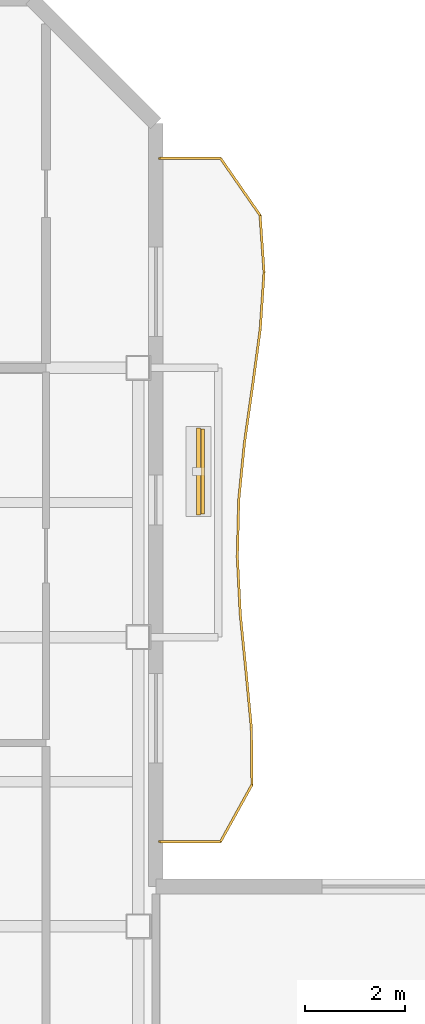
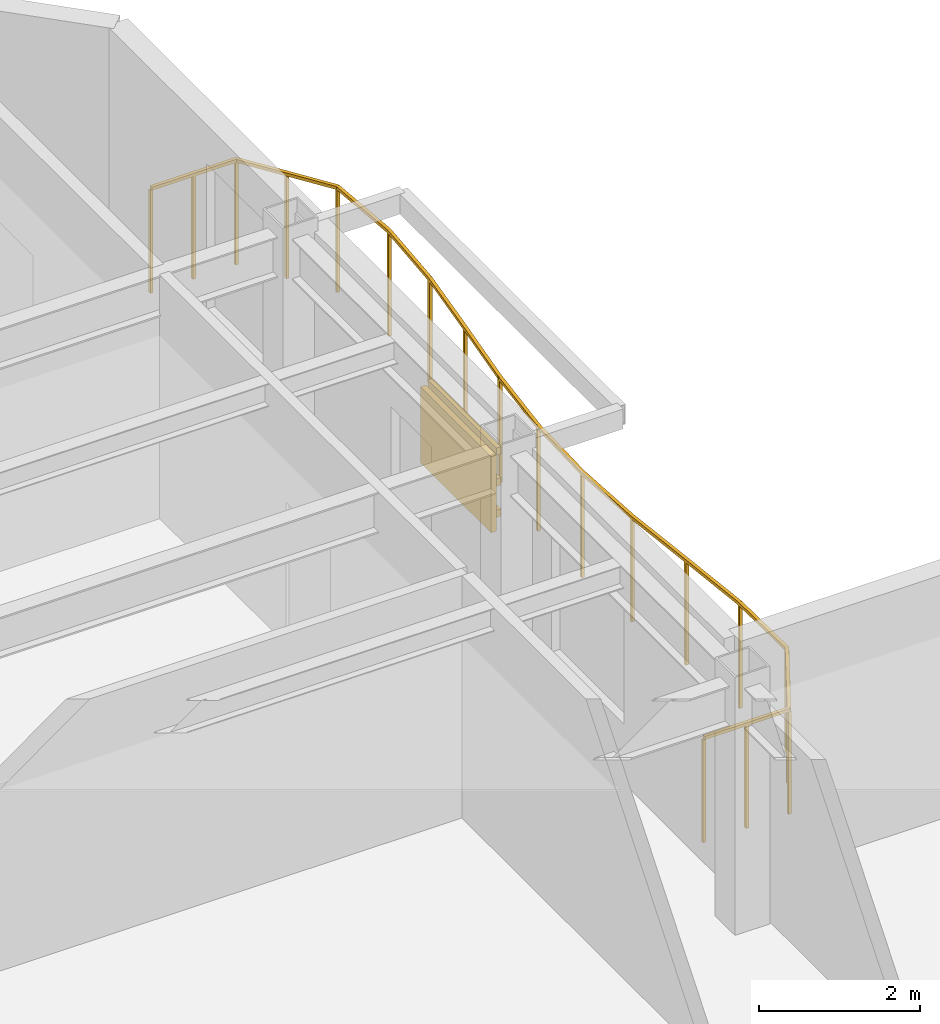
# One storey, part 9 of 9: 4 shading devices, 1 railing.
"""IFC4 building model written with IfcOpenShell, lengths in metres."""

from ifc_helpers import new_model, si_unit, direction, frame, origin, origin_2d, place, context, subcontext, project, spatial, rectangle, extrude, material, layer, layer_set, material_profile, profile_set, type_object, element, save


model = new_model("IFC4")

# Units and contexts
model_context = context("Model", 3, precision=1e-05, world=origin(), true_north=direction((0.0, 1.0)))
body_context = subcontext(model_context, "Body", "Model", "MODEL_VIEW")
ifc_project = project(units=[si_unit("LENGTHUNIT", "METRE"), si_unit("AREAUNIT", "SQUARE_METRE"), si_unit("VOLUMEUNIT", "CUBIC_METRE"), si_unit("PLANEANGLEUNIT", "RADIAN"), si_unit("MASSUNIT", "GRAM", prefix="KILO")], contexts=[model_context])

# Site, building, storey
site_placement = place(None, origin())
site = spatial("IfcSite", under=ifc_project, at=site_placement, CompositionType="ELEMENT")
building_placement = place(site_placement, origin())
building = spatial("IfcBuilding", under=site, at=building_placement, Name="Mawjaban Terraces University", CompositionType="ELEMENT")
storey_placement = place(building_placement, frame((0.0, 0.0, 107.300048828125)))
storey = spatial("IfcBuildingStorey", under=building, at=storey_placement, Name="L25", CompositionType="ELEMENT", Elevation=107.300048828125)

# Railing
ifc_material_1 = material(Name="Galvanised powder-coated steel S355", Category="steel")
railing_type = type_object("IfcRailingType", Name="BalconyBalustrade_1600", PredefinedType="BALUSTRADE", material=ifc_material_1)
railing_placement = place(storey_placement, frame((38.080078125, 31.699951171875, 0.0)))
element("IfcRailing", 1, at=railing_placement, inside=storey, type_object=railing_type, Name="L25 Balcony Guardrail inner_east", PredefinedType="BALUSTRADE", context=body_context, shape_type="SweptSolid", body=[
    extrude(rectangle(XDim=0.048095703125, YDim=0.048095703125, at=origin_2d()), frame((0.0, 0.0, 1.576171875), z_axis=(1.0, 0.0, 0.0), x_axis=(0.0, 1.0, 0.0)), (0.0, 0.0, 1.0), 1.219970703125),
    extrude(rectangle(XDim=0.048095703125, YDim=0.048095703125, at=origin_2d()), frame((1.219970703125, 0.0, 1.576171875), z_axis=(0.482938781998, 0.875654117127, 0.0), x_axis=(-0.875654117127, 0.482938781998, 0.0)), (0.0, 0.0, 1.0), 1.30419921875),
    extrude(rectangle(XDim=0.048095703125, YDim=0.048095703125, at=origin_2d()), frame((1.849853515625, 1.14208984375, 1.576171875), z_axis=(-0.010485192898, 0.999945028854, 0.0), x_axis=(-0.999945028854, -0.010485192898, 0.0)), (0.0, 0.0, 1.0), 1.140869140625),
    extrude(rectangle(XDim=0.048095703125, YDim=0.048095703125, at=origin_2d()), frame((1.837890625, 2.282958984375, 1.576171875), z_axis=(-0.094909515374, 0.995485903412, 0.0), x_axis=(-0.995485903412, -0.094909515374, 0.0)), (0.0, 0.0, 1.0), 1.147216796875),
    extrude(rectangle(XDim=0.048095703125, YDim=0.048095703125, at=origin_2d()), frame((1.72900390625, 3.425048828125, 1.576171875), z_axis=(-0.099335234994, 0.995054024206, 0.0), x_axis=(-0.995054024206, -0.099335234994, 0.0)), (0.0, 0.0, 1.0), 1.147705078125),
    extrude(rectangle(XDim=0.048095703125, YDim=0.048095703125, at=origin_2d()), frame((1.614990234375, 4.567138671875, 1.576171875), z_axis=(-0.050864951562, 0.998705540539, 0.0), x_axis=(-0.998705540539, -0.050864951562, 0.0)), (0.0, 0.0, 1.0), 1.142333984375),
    extrude(rectangle(XDim=0.048095703125, YDim=0.048095703125, at=origin_2d()), frame((1.556884765625, 5.7080078125, 1.576171875), z_axis=(0.024575730372, 0.999697971128, 0.0), x_axis=(-0.999697971128, 0.024575730372, 0.0)), (0.0, 0.0, 1.0), 1.142333984375),
    extrude(rectangle(XDim=0.048095703125, YDim=0.048095703125, at=origin_2d()), frame((1.5849609375, 6.85009765625, 1.576171875), z_axis=(0.099356264444, 0.995051924633, 0.0), x_axis=(-0.995051924633, 0.099356264444, 0.0)), (0.0, 0.0, 1.0), 1.1474609375),
    extrude(rectangle(XDim=0.048095703125, YDim=0.048095703125, at=origin_2d()), frame((1.698974609375, 7.991943359375, 1.576171875), z_axis=(0.141273092036, 0.989970662932, 0.0), x_axis=(-0.989970662932, 0.141273092036, 0.0)), (0.0, 0.0, 1.0), 1.152587890625),
    extrude(rectangle(XDim=0.048095703125, YDim=0.048095703125, at=origin_2d()), frame((1.86181640625, 9.133056640625, 1.576171875), z_axis=(0.133676105636, 0.991025074749, 0.0), x_axis=(-0.991025074749, 0.133676105636, 0.0)), (0.0, 0.0, 1.0), 1.15234375),
    extrude(rectangle(XDim=0.048095703125, YDim=0.048095703125, at=origin_2d()), frame((2.015869140625, 10.275146484375, 1.576171875), z_axis=(0.06656148929, 0.997782325031, 0.0), x_axis=(-0.997782325031, 0.06656148929, 0.0)), (0.0, 0.0, 1.0), 1.144287109375),
    extrude(rectangle(XDim=0.048095703125, YDim=0.048095703125, at=origin_2d()), frame((2.092041015625, 11.4169921875, 1.576171875), z_axis=(-0.070003281481, 0.9975467611, 0.0), x_axis=(-0.9975467611, -0.070003281481, 0.0)), (0.0, 0.0, 1.0), 1.143798828125),
    extrude(rectangle(XDim=0.048095703125, YDim=0.048095703125, at=origin_2d()), frame((2.011962890625, 12.55810546875, 1.576171875), z_axis=(-0.569931485344, 0.821692218543, 0.0), x_axis=(-0.821692218543, -0.569931485344, 0.0)), (0.0, 0.0, 1.0), 1.3896484375),
    extrude(rectangle(XDim=0.048095703125, YDim=0.048095703125, at=origin_2d()), frame((1.219970703125, 13.699951171875, 1.576171875), z_axis=(-1.0, 0.0, 0.0), x_axis=(0.0, -1.0, 0.0)), (0.0, 0.0, 1.0), 1.219970703125),
    extrude(rectangle(XDim=0.0419921875, YDim=0.0419921875, at=origin_2d()), origin(), (0.0, 0.0, 1.0), 1.552001953125),
    extrude(rectangle(XDim=0.0419921875, YDim=0.0419921875, at=origin_2d()), frame((0.60986328125, 0.0, 0.0)), (0.0, 0.0, 1.0), 1.552001953125),
    extrude(rectangle(XDim=0.0419921875, YDim=0.0419921875, at=origin_2d()), frame((1.219970703125, 0.0, 0.0)), (0.0, 0.0, 1.0), 1.552001953125),
    extrude(rectangle(XDim=0.0419921875, YDim=0.0419921875, at=origin_2d()), frame((1.534912109375, 0.571044921875, 0.0)), (0.0, 0.0, 1.0), 1.552001953125),
    extrude(rectangle(XDim=0.0419921875, YDim=0.0419921875, at=origin_2d()), frame((1.849853515625, 1.14208984375, 0.0)), (0.0, 0.0, 1.0), 1.552001953125),
    extrude(rectangle(XDim=0.0419921875, YDim=0.0419921875, at=origin_2d()), frame((1.837890625, 2.282958984375, 0.0)), (0.0, 0.0, 1.0), 1.552001953125),
    extrude(rectangle(XDim=0.0419921875, YDim=0.0419921875, at=origin_2d()), frame((1.72900390625, 3.425048828125, 0.0)), (0.0, 0.0, 1.0), 1.552001953125),
    extrude(rectangle(XDim=0.0419921875, YDim=0.0419921875, at=origin_2d()), frame((1.614990234375, 4.567138671875, 0.0)), (0.0, 0.0, 1.0), 1.552001953125),
    extrude(rectangle(XDim=0.0419921875, YDim=0.0419921875, at=origin_2d()), frame((1.556884765625, 5.7080078125, 0.0)), (0.0, 0.0, 1.0), 1.552001953125),
    extrude(rectangle(XDim=0.0419921875, YDim=0.0419921875, at=origin_2d()), frame((1.5849609375, 6.85009765625, 0.0)), (0.0, 0.0, 1.0), 1.552001953125),
    extrude(rectangle(XDim=0.0419921875, YDim=0.0419921875, at=origin_2d()), frame((1.698974609375, 7.991943359375, 0.0)), (0.0, 0.0, 1.0), 1.552001953125),
    extrude(rectangle(XDim=0.0419921875, YDim=0.0419921875, at=origin_2d()), frame((1.86181640625, 9.133056640625, 0.0)), (0.0, 0.0, 1.0), 1.552001953125),
    extrude(rectangle(XDim=0.0419921875, YDim=0.0419921875, at=origin_2d()), frame((2.015869140625, 10.275146484375, 0.0)), (0.0, 0.0, 1.0), 1.552001953125),
    extrude(rectangle(XDim=0.0419921875, YDim=0.0419921875, at=origin_2d()), frame((2.092041015625, 11.4169921875, 0.0)), (0.0, 0.0, 1.0), 1.552001953125),
    extrude(rectangle(XDim=0.0419921875, YDim=0.0419921875, at=origin_2d()), frame((2.011962890625, 12.55810546875, 0.0)), (0.0, 0.0, 1.0), 1.552001953125),
    extrude(rectangle(XDim=0.0419921875, YDim=0.0419921875, at=origin_2d()), frame((1.615966796875, 13.12890625, 0.0)), (0.0, 0.0, 1.0), 1.552001953125),
    extrude(rectangle(XDim=0.0419921875, YDim=0.0419921875, at=origin_2d()), frame((1.219970703125, 13.699951171875, 0.0)), (0.0, 0.0, 1.0), 1.552001953125),
    extrude(rectangle(XDim=0.0419921875, YDim=0.0419921875, at=origin_2d()), frame((0.60986328125, 13.699951171875, 0.0)), (0.0, 0.0, 1.0), 1.552001953125),
    extrude(rectangle(XDim=0.0419921875, YDim=0.0419921875, at=origin_2d()), frame((0.0, 13.699951171875, 0.0)), (0.0, 0.0, 1.0), 1.552001953125),
])

# Shading devices
ifc_material_2 = material(Name="Glazed architectural terracotta ceramic", Category="masonry")
ifc_material_profile = material_profile(ifc_material_2, rectangle(XDim=0.06494140625, YDim=0.110107421875, at=origin_2d()), Name="TBAG110X65")
ifc_profile_set = profile_set([ifc_material_profile], Name="Glazed architectural terracotta ceramic")
shading_device_type_1 = type_object("IfcShadingDeviceType", Name="TerracottaBaguette_110x65", PredefinedType="USERDEFINED", material=ifc_profile_set)
for number, where, z_axis, x_axis, name in (
    (2, (38.94091796875, 38.27099609375, 0.679931640625), (0.0, 1.0, 0.0), (-1.0, 0.0, 0.0), "L25 Horizontal Terracotta Baguette inner_east.1"),
    (3, (38.94091796875, 38.27099609375, 1.14990234375), (0.0, 1.0, 0.0), (-1.0, 0.0, 0.0), "L25 Horizontal Terracotta Baguette inner_east.2"),
    (4, (38.94091796875, 38.27099609375, 1.619873046875), (0.0, 1.0, 0.0), (-1.0, 0.0, 0.0), "L25 Horizontal Terracotta Baguette inner_east.3"),
):
    element("IfcShadingDevice", number, at=place(storey_placement, frame(where, z_axis=z_axis, x_axis=x_axis)), inside=storey, type_object=shading_device_type_1, Name=name, ObjectType="BAGUETTE", PredefinedType="USERDEFINED", context=body_context, shape_type="SweptSolid", body=[
        extrude(rectangle(XDim=0.06494140625, YDim=0.110107421875, at=origin_2d()), origin(), (0.0, 0.0, 1.0), 1.699951171875),
    ])
ifc_layer = layer(ifc_material_2, 0.080078125)
ifc_layer_set = layer_set([ifc_layer], Name="Glazed architectural terracotta ceramic")
shading_device_type_2 = type_object("IfcShadingDeviceType", Name="TerracottaScreen_Perforated", PredefinedType="USERDEFINED", material=ifc_layer_set)
shading_device_placement = place(storey_placement, frame((38.85595703125, 39.12109375, 0.43994140625), z_axis=(0.0, 0.0, 1.0), x_axis=(0.0, 1.0, 0.0)))
element("IfcShadingDevice", 5, at=shading_device_placement, inside=storey, type_object=shading_device_type_2, Name="L25 Balcony Perforated Terracotta Screen inner_east", ObjectType="SCREEN", PredefinedType="USERDEFINED", context=body_context, shape_type="SweptSolid", body=[
    extrude(rectangle(XDim=1.75, YDim=0.080078125, at=origin_2d()), origin(), (0.0, 0.0, 1.0), 1.14990234375),
])

save(model, "model.ifc")
